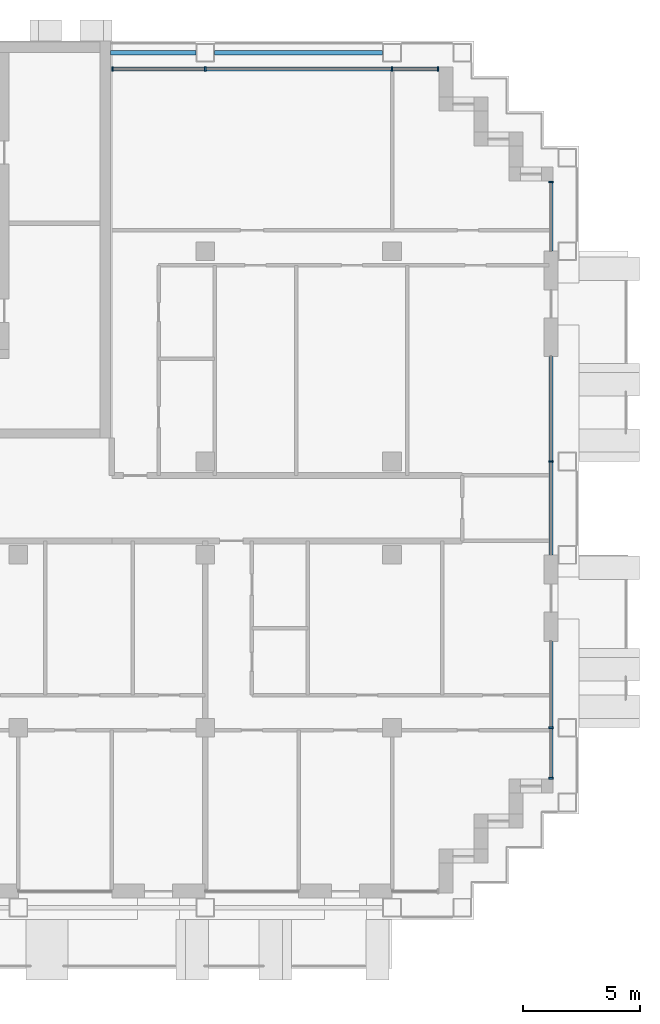
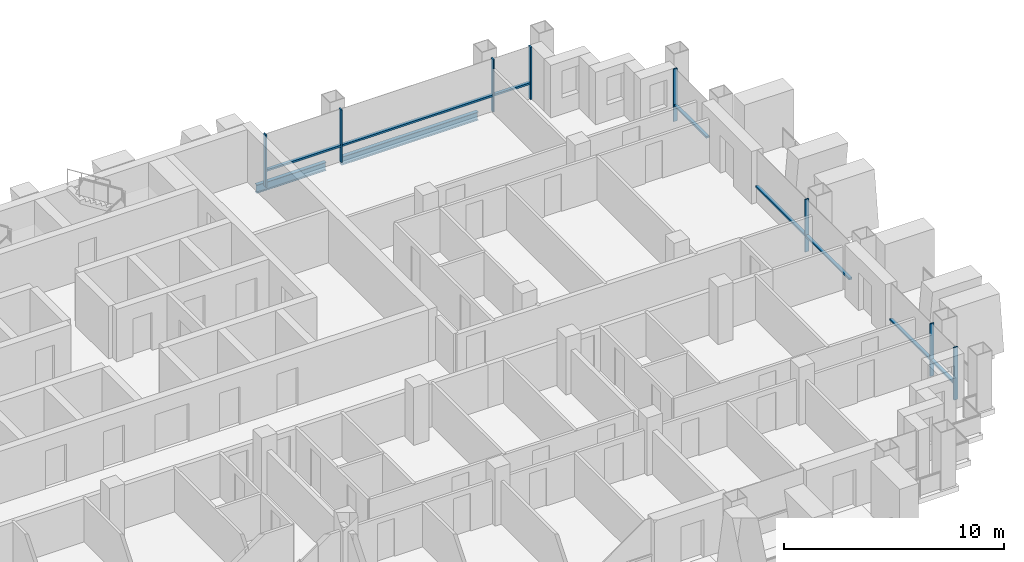
# One storey, part 5 of 17: 16 members, 2 beams, 4 elements without a shape of their own.
"""IFC4 building model written with IfcOpenShell, lengths in metres."""

from ifc_helpers import new_model, si_unit, direction, frame, origin, origin_2d, place, context, subcontext, project, spatial, rectangle, i_section, extrude, material, material_profile, profile_set, type_object, element, aggregate, save


model = new_model("IFC4")

# Units and contexts
model_context = context("Model", 3, precision=1e-05, world=origin(), true_north=direction((0.0, 1.0)))
body_context = subcontext(model_context, "Body", "Model", "MODEL_VIEW")
ifc_project = project(units=[si_unit("LENGTHUNIT", "METRE"), si_unit("AREAUNIT", "SQUARE_METRE"), si_unit("VOLUMEUNIT", "CUBIC_METRE"), si_unit("PLANEANGLEUNIT", "RADIAN"), si_unit("MASSUNIT", "GRAM", prefix="KILO")], contexts=[model_context])

# Site, building, storey
site_placement = place(None, origin())
site = spatial("IfcSite", under=ifc_project, at=site_placement, CompositionType="ELEMENT")
building_placement = place(site_placement, origin())
building = spatial("IfcBuilding", under=site, at=building_placement, Name="Vidyagriha Tower", CompositionType="ELEMENT")
storey_placement = place(building_placement, frame((0.0, 0.0, 119.800048828125)))
storey = spatial("IfcBuildingStorey", under=building, at=storey_placement, Name="L30", CompositionType="ELEMENT", Elevation=119.800048828125)

# Beams
ifc_material_1 = material(Name="Steel ASTM A992 Grade 50", Category="steel")
ifc_material_profile_1 = material_profile(ifc_material_1, i_section(OverallWidth=0.19189453125, OverallDepth=0.46240234375, WebThickness=0.010498046875, FlangeThickness=0.017578125, at=origin_2d()), Name="W18X60")
ifc_profile_set_1 = profile_set([ifc_material_profile_1], Name="Steel ASTM A992 Grade 50")
beam_type = type_object("IfcBeamType", Name="Edge beam W18X60", PredefinedType="SPANDREL", material=ifc_profile_set_1)
beam_1_placement = place(storey_placement, frame((18.39990234375, 19.5, -0.51123046875), z_axis=(1.0, 0.0, 0.0), x_axis=(0.0, 1.0, 0.0)))
element("IfcBeam", 1, at=beam_1_placement, inside=storey, type_object=beam_type, Name="st-beam-L30-NE07", PredefinedType="SPANDREL", context=body_context, shape_type="SweptSolid", body=[
    extrude(i_section(OverallWidth=0.19189453125, OverallDepth=0.46240234375, WebThickness=0.010498046875, FlangeThickness=0.017578125, at=origin_2d()), origin(), (0.0, 0.0, 1.0), 7.2001953125),
])
beam_2_placement = place(storey_placement, frame((13.949951171875, 19.5, -0.51123046875), z_axis=(1.0, 0.0, 0.0), x_axis=(0.0, 1.0, 0.0)))
element("IfcBeam", 2, at=beam_2_placement, inside=storey, type_object=beam_type, Name="st-beam-L30-NC09", PredefinedType="SPANDREL", context=body_context, shape_type="SweptSolid", body=[
    extrude(i_section(OverallWidth=0.19189453125, OverallDepth=0.46240234375, WebThickness=0.010498046875, FlangeThickness=0.017578125, at=origin_2d()), origin(), (0.0, 0.0, 1.0), 3.650146484375),
])

# Curtain wall, members
ifc_material_2 = material(Name="Aluminium and glass curtain wall", Category="aluminium")
curtain_wall_type = type_object("IfcCurtainWallType", Name="Dwelling skin unitised curtain wall", PredefinedType="USERDEFINED", material=ifc_material_2)
curtain_wall_1_placement = place(storey_placement, origin())
curtain_wall_1 = element("IfcCurtainWall", 3, at=curtain_wall_1_placement, inside=storey, type_object=curtain_wall_type, Name="CW1 dwelling skin", ObjectType="UNITISED", PredefinedType="USERDEFINED")
ifc_material_3 = material(Name="Aluminium black anodised", Category="aluminium")
ifc_material_profile_2 = material_profile(ifc_material_3, rectangle(XDim=0.199951171875, YDim=0.070068359375, at=origin_2d()), Name="Mullion 70x200 black aluminium")
ifc_profile_set_2 = profile_set([ifc_material_profile_2], Name="Aluminium black anodised")
member_type_1 = type_object("IfcMemberType", Name="Mullion 70x200 black aluminium", PredefinedType="MULLION", material=ifc_profile_set_2)
member_1_placement = place(storey_placement, frame((27.965087890625, 18.800048828125, 0.0), z_axis=(0.0, 0.0, 1.0), x_axis=(0.0, -1.0, 0.0)))
member_1 = element("IfcMember", 4, at=member_1_placement, type_object=member_type_1, Name="CW1 mullion 1", PredefinedType="MULLION", context=body_context, shape_type="SweptSolid", body=[
    extrude(rectangle(XDim=0.199951171875, YDim=0.070068359375, at=origin_2d()), origin(), (0.0, 0.0, 1.0), 2.919921875),
])
member_2_placement = place(storey_placement, frame((26.0, 18.800048828125, 0.0), z_axis=(0.0, 0.0, 1.0), x_axis=(0.0, -1.0, 0.0)))
member_2 = element("IfcMember", 5, at=member_2_placement, type_object=member_type_1, Name="CW1 mullion 2", PredefinedType="MULLION", context=body_context, shape_type="SweptSolid", body=[
    extrude(rectangle(XDim=0.199951171875, YDim=0.070068359375, at=origin_2d()), origin(), (0.0, 0.0, 1.0), 2.919921875),
])
member_3_placement = place(storey_placement, frame((18.0, 18.800048828125, 0.0), z_axis=(0.0, 0.0, 1.0), x_axis=(0.0, -1.0, 0.0)))
member_3 = element("IfcMember", 6, at=member_3_placement, type_object=member_type_1, Name="CW1 mullion 3", PredefinedType="MULLION", context=body_context, shape_type="SweptSolid", body=[
    extrude(rectangle(XDim=0.199951171875, YDim=0.070068359375, at=origin_2d()), origin(), (0.0, 0.0, 1.0), 2.919921875),
])
member_4_placement = place(storey_placement, frame((14.034912109375, 18.800048828125, 0.0), z_axis=(0.0, 0.0, 1.0), x_axis=(0.0, -1.0, 0.0)))
member_4 = element("IfcMember", 7, at=member_4_placement, type_object=member_type_1, Name="CW1 mullion 4", PredefinedType="MULLION", context=body_context, shape_type="SweptSolid", body=[
    extrude(rectangle(XDim=0.199951171875, YDim=0.070068359375, at=origin_2d()), origin(), (0.0, 0.0, 1.0), 2.919921875),
])

curtain_wall_2_placement = place(storey_placement, origin())
curtain_wall_2 = element("IfcCurtainWall", 8, at=curtain_wall_2_placement, inside=storey, type_object=curtain_wall_type, Name="CW1 dwelling skin", ObjectType="UNITISED", PredefinedType="USERDEFINED")
member_5_placement = place(storey_placement, frame((32.800048828125, -11.56494140625, 0.0), z_axis=(0.0, 0.0, 1.0), x_axis=(-1.0, 0.0, 0.0)))
member_5 = element("IfcMember", 9, at=member_5_placement, type_object=member_type_1, Name="CW1 mullion 1", PredefinedType="MULLION", context=body_context, shape_type="SweptSolid", body=[
    extrude(rectangle(XDim=0.199951171875, YDim=0.070068359375, at=origin_2d()), origin(), (0.0, 0.0, 1.0), 2.919921875),
])
member_6_placement = place(storey_placement, frame((32.800048828125, -9.39990234375, 0.0), z_axis=(0.0, 0.0, 1.0), x_axis=(-1.0, 0.0, 0.0)))
member_6 = element("IfcMember", 10, at=member_6_placement, type_object=member_type_1, Name="CW1 mullion 2", PredefinedType="MULLION", context=body_context, shape_type="SweptSolid", body=[
    extrude(rectangle(XDim=0.199951171875, YDim=0.070068359375, at=origin_2d()), origin(), (0.0, 0.0, 1.0), 2.919921875),
])

# Curtain wall, member
curtain_wall_3_placement = place(storey_placement, origin())
curtain_wall_3 = element("IfcCurtainWall", 11, at=curtain_wall_3_placement, inside=storey, type_object=curtain_wall_type, Name="CW1 dwelling skin", ObjectType="UNITISED", PredefinedType="USERDEFINED")
member_7_placement = place(storey_placement, frame((32.800048828125, 2.0, 0.0), z_axis=(0.0, 0.0, 1.0), x_axis=(-1.0, 0.0, 0.0)))
member_7 = element("IfcMember", 12, at=member_7_placement, type_object=member_type_1, Name="CW1 mullion 2", PredefinedType="MULLION", context=body_context, shape_type="SweptSolid", body=[
    extrude(rectangle(XDim=0.199951171875, YDim=0.070068359375, at=origin_2d()), origin(), (0.0, 0.0, 1.0), 2.919921875),
])

curtain_wall_4_placement = place(storey_placement, origin())
curtain_wall_4 = element("IfcCurtainWall", 13, at=curtain_wall_4_placement, inside=storey, type_object=curtain_wall_type, Name="CW1 dwelling skin", ObjectType="UNITISED", PredefinedType="USERDEFINED")
member_8_placement = place(storey_placement, frame((32.800048828125, 13.965087890625, 0.0), z_axis=(0.0, 0.0, 1.0), x_axis=(-1.0, 0.0, 0.0)))
member_8 = element("IfcMember", 14, at=member_8_placement, type_object=member_type_1, Name="CW1 mullion 2", PredefinedType="MULLION", context=body_context, shape_type="SweptSolid", body=[
    extrude(rectangle(XDim=0.199951171875, YDim=0.070068359375, at=origin_2d()), origin(), (0.0, 0.0, 1.0), 2.919921875),
])

# Member
ifc_material_4 = material(Name="Aluminium black anodised", Category="aluminium")
ifc_material_profile_3 = material_profile(ifc_material_4, rectangle(XDim=0.159912109375, YDim=0.10009765625, at=origin_2d()), Name="Transom 100x160 black aluminium")
ifc_profile_set_3 = profile_set([ifc_material_profile_3], Name="Aluminium black anodised")
member_type_2 = type_object("IfcMemberType", Name="Transom 100x160 black aluminium", PredefinedType="USERDEFINED", material=ifc_profile_set_3)
member_9_placement = place(storey_placement, frame((27.929931640625, 18.800048828125, 0.89990234375), z_axis=(-1.0, 0.0, 0.0), x_axis=(0.0, -1.0, 0.0)))
member_9 = element("IfcMember", 15, at=member_9_placement, type_object=member_type_2, Name="CW1 transom 1.1", ObjectType="TRANSOM", PredefinedType="USERDEFINED", context=body_context, shape_type="SweptSolid", body=[
    extrude(rectangle(XDim=0.159912109375, YDim=0.10009765625, at=origin_2d()), origin(), (0.0, 0.0, 1.0), 1.89501953125),
])

member_10_placement = place(storey_placement, frame((25.965087890625, 18.800048828125, 0.89990234375), z_axis=(-1.0, 0.0, 0.0), x_axis=(0.0, -1.0, 0.0)))
member_10 = element("IfcMember", 16, at=member_10_placement, type_object=member_type_2, Name="CW1 transom 2.1", ObjectType="TRANSOM", PredefinedType="USERDEFINED", context=body_context, shape_type="SweptSolid", body=[
    extrude(rectangle(XDim=0.159912109375, YDim=0.10009765625, at=origin_2d()), origin(), (0.0, 0.0, 1.0), 7.93017578125),
])

member_11_placement = place(storey_placement, frame((17.965087890625, 18.800048828125, 0.89990234375), z_axis=(-1.0, 0.0, 0.0), x_axis=(0.0, -1.0, 0.0)))
member_11 = element("IfcMember", 17, at=member_11_placement, type_object=member_type_2, Name="CW1 transom 3.1", ObjectType="TRANSOM", PredefinedType="USERDEFINED", context=body_context, shape_type="SweptSolid", body=[
    extrude(rectangle(XDim=0.159912109375, YDim=0.10009765625, at=origin_2d()), origin(), (0.0, 0.0, 1.0), 3.89501953125),
])

aggregate(curtain_wall_1, [member_1, member_2, member_3, member_4, member_9, member_10, member_11])

member_12_placement = place(storey_placement, frame((32.800048828125, -11.530029296875, 0.89990234375), z_axis=(0.0, 1.0, 0.0), x_axis=(-1.0, 0.0, 0.0)))
member_12 = element("IfcMember", 18, at=member_12_placement, type_object=member_type_2, Name="CW1 transom 1.1", ObjectType="TRANSOM", PredefinedType="USERDEFINED", context=body_context, shape_type="SweptSolid", body=[
    extrude(rectangle(XDim=0.159912109375, YDim=0.10009765625, at=origin_2d()), origin(), (0.0, 0.0, 1.0), 2.094970703125),
])

member_13_placement = place(storey_placement, frame((32.800048828125, -9.364990234375, 0.89990234375), z_axis=(0.0, 1.0, 0.0), x_axis=(-1.0, 0.0, 0.0)))
member_13 = element("IfcMember", 19, at=member_13_placement, type_object=member_type_2, Name="CW1 transom 2.1", ObjectType="TRANSOM", PredefinedType="USERDEFINED", context=body_context, shape_type="SweptSolid", body=[
    extrude(rectangle(XDim=0.159912109375, YDim=0.10009765625, at=origin_2d()), origin(), (0.0, 0.0, 1.0), 3.6650390625),
])

aggregate(curtain_wall_2, [member_5, member_6, member_12, member_13])

member_14_placement = place(storey_placement, frame((32.800048828125, -2.0, 0.89990234375), z_axis=(0.0, 1.0, 0.0), x_axis=(-1.0, 0.0, 0.0)))
member_14 = element("IfcMember", 20, at=member_14_placement, type_object=member_type_2, Name="CW1 transom 1.1", ObjectType="TRANSOM", PredefinedType="USERDEFINED", context=body_context, shape_type="SweptSolid", body=[
    extrude(rectangle(XDim=0.159912109375, YDim=0.10009765625, at=origin_2d()), origin(), (0.0, 0.0, 1.0), 3.965087890625),
])

member_15_placement = place(storey_placement, frame((32.800048828125, 2.034912109375, 0.89990234375), z_axis=(0.0, 1.0, 0.0), x_axis=(-1.0, 0.0, 0.0)))
member_15 = element("IfcMember", 21, at=member_15_placement, type_object=member_type_2, Name="CW1 transom 2.1", ObjectType="TRANSOM", PredefinedType="USERDEFINED", context=body_context, shape_type="SweptSolid", body=[
    extrude(rectangle(XDim=0.159912109375, YDim=0.10009765625, at=origin_2d()), origin(), (0.0, 0.0, 1.0), 4.465087890625),
])

aggregate(curtain_wall_3, [member_7, member_14, member_15])

member_16_placement = place(storey_placement, frame((32.800048828125, 11.0, 0.89990234375), z_axis=(0.0, 1.0, 0.0), x_axis=(-1.0, 0.0, 0.0)))
member_16 = element("IfcMember", 22, at=member_16_placement, type_object=member_type_2, Name="CW1 transom 1.1", ObjectType="TRANSOM", PredefinedType="USERDEFINED", context=body_context, shape_type="SweptSolid", body=[
    extrude(rectangle(XDim=0.159912109375, YDim=0.10009765625, at=origin_2d()), origin(), (0.0, 0.0, 1.0), 2.929931640625),
])

aggregate(curtain_wall_4, [member_8, member_16])

save(model, "model.ifc")
